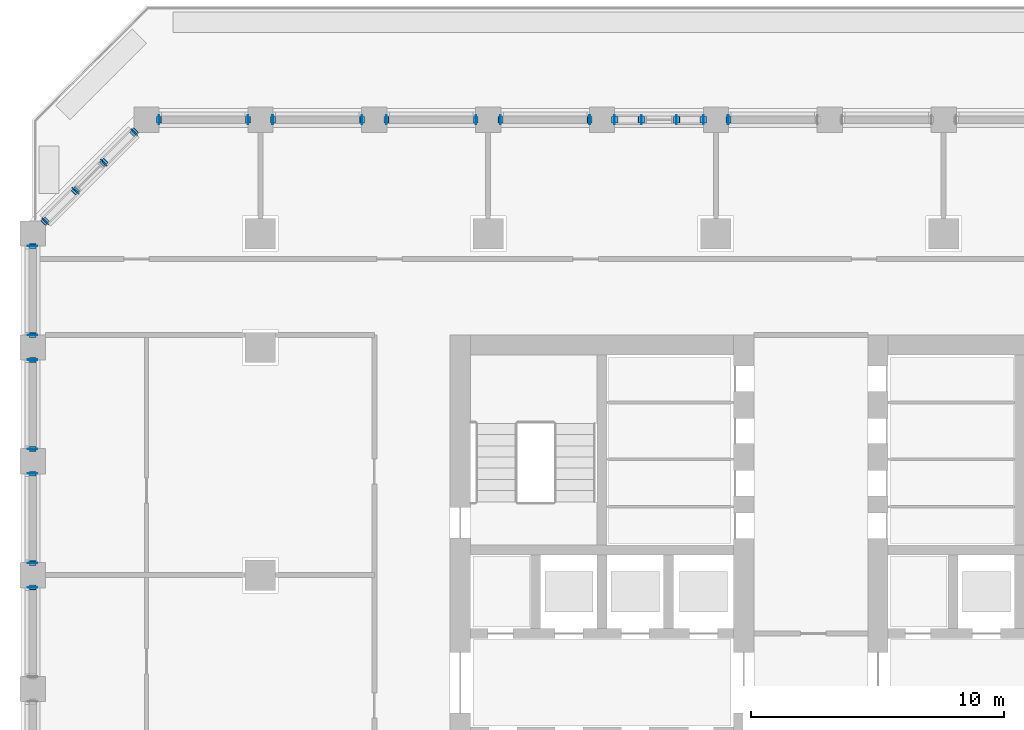
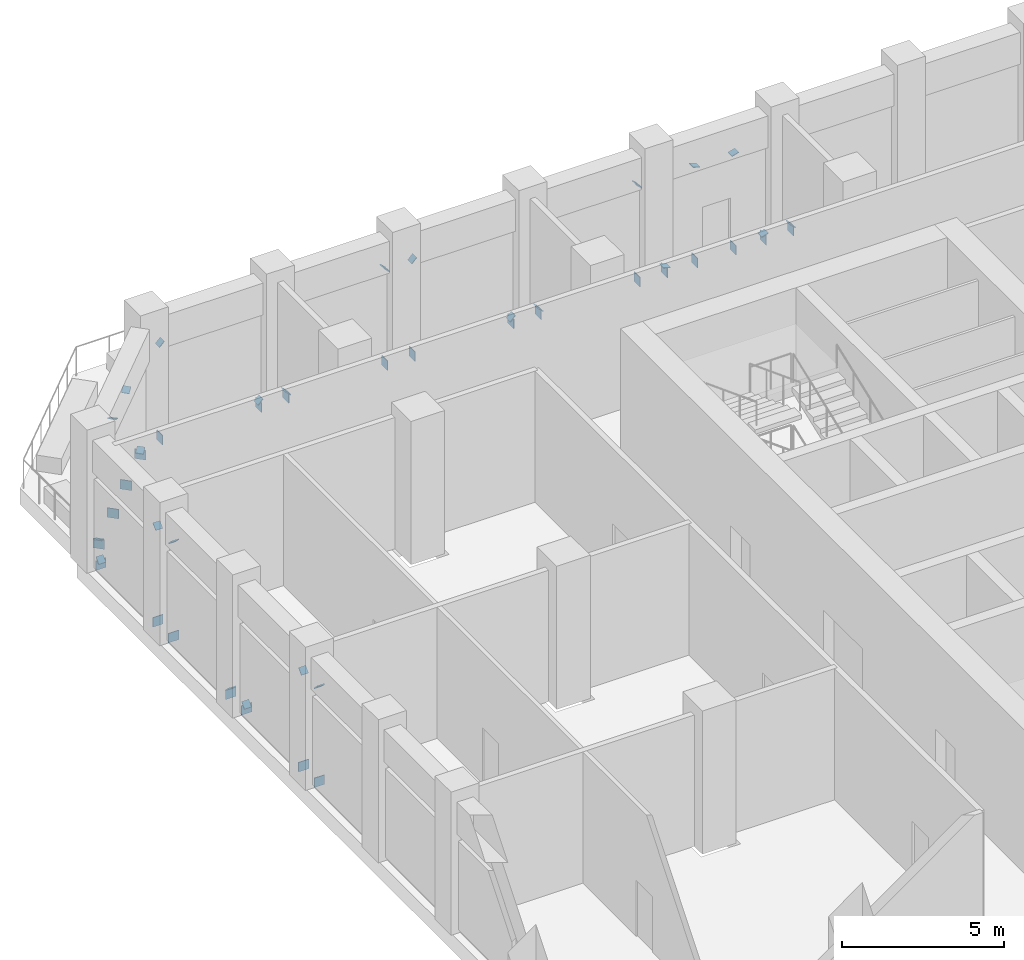
# One storey, part 11 of 20: 48 discrete accessories.
"""IFC4 building model written with IfcOpenShell, lengths in metres."""

from ifc_helpers import new_model, si_unit, direction, frame, origin, origin_2d, place, context, subcontext, project, spatial, rectangle, extrude, material, material_profile, profile_set, type_object, element, save


model = new_model("IFC4")

# Units and contexts
model_context = context("Model", 3, precision=1e-05, world=origin(), true_north=direction((0.0, 1.0)))
body_context = subcontext(model_context, "Body", "Model", "MODEL_VIEW")
ifc_project = project(units=[si_unit("LENGTHUNIT", "METRE"), si_unit("AREAUNIT", "SQUARE_METRE"), si_unit("VOLUMEUNIT", "CUBIC_METRE"), si_unit("PLANEANGLEUNIT", "RADIAN"), si_unit("MASSUNIT", "GRAM", prefix="KILO")], contexts=[model_context])

# Site, building, storey
site_placement = place(None, origin())
site = spatial("IfcSite", under=ifc_project, at=site_placement, CompositionType="ELEMENT")
building_placement = place(site_placement, origin())
building = spatial("IfcBuilding", under=site, at=building_placement, Name="Corbel Stack Research Tower", CompositionType="ELEMENT")
storey_placement = place(building_placement, frame((0.0, 0.0, 151.39990234375)))
storey = spatial("IfcBuildingStorey", under=building, at=storey_placement, Name="L34", CompositionType="ELEMENT", Elevation=151.39990234375)

# Discrete accessories
ifc_material_1 = material(Name="Steel S355", Category="steel")
ifc_material_profile_1 = material_profile(ifc_material_1, rectangle(XDim=0.25390625, YDim=0.25390625, at=origin_2d()), Name="End plate 254x254x25")
ifc_profile_set_1 = profile_set([ifc_material_profile_1], Name="Steel S355")
discrete_accessory_type_1 = type_object("IfcDiscreteAccessoryType", Name="End plate 254x254x25", PredefinedType="ANCHORPLATE", material=ifc_profile_set_1)
discrete_accessory_placement = place(storey_placement, frame((0.5, 27.0, 0.356201171875), z_axis=(-0.711966448453, 0.0, -0.702213483406), x_axis=(0.0, -1.0, 0.0)))
element("IfcDiscreteAccessory", 1, at=discrete_accessory_placement, inside=storey, type_object=discrete_accessory_type_1, Name="Belt truss end plate L34-26d1", PredefinedType="ANCHORPLATE", context=body_context, shape_type="SweptSolid", body=[
    extrude(rectangle(XDim=0.25390625, YDim=0.25390625, at=origin_2d()), origin(), (0.0, 0.0, 1.0), 0.025146484375),
])
for number, where, z_axis, x_axis, name in (
    (2, (-0.5, 27.0, 0.356201171875), (0.292714272094, 0.0, -0.956199955507), (0.0, 1.0, 0.0), "Belt truss end plate L34-27ad1"),
    (3, (-1.550048828125, 27.0, 3.75), (-0.292714272094, 0.0, 0.956199955507), (0.0, -1.0, 0.0), "Belt truss end plate L34-27ad2"),
    (4, (-4.0, 27.0, 0.356201171875), (-0.292714272094, 0.0, -0.956199955507), (0.0, -1.0, 0.0), "Belt truss end plate L34-27bd1"),
    (5, (-2.949951171875, 27.0, 3.75), (0.292714272094, 0.0, 0.956199955507), (0.0, 1.0, 0.0), "Belt truss end plate L34-27bd2"),
):
    element("IfcDiscreteAccessory", number, at=place(storey_placement, frame(where, z_axis=z_axis, x_axis=x_axis)), inside=storey, type_object=discrete_accessory_type_1, Name=name, PredefinedType="ANCHORPLATE", context=body_context, shape_type="SweptSolid", body=[
        extrude(rectangle(XDim=0.25390625, YDim=0.25390625, at=origin_2d()), origin(), (0.0, 0.0, 1.0), 0.02490234375),
    ])
for number, where, z_axis, x_axis, name in (
    (6, (-8.5, 27.0, 0.356201171875), (-0.711966448453, 0.0, -0.702213483406), (0.0, -1.0, 0.0), "Belt truss end plate L34-28d1"),
    (7, (-5.0, 27.0, 3.75), (0.711966448453, 0.0, 0.702213483406), (0.0, 1.0, 0.0), "Belt truss end plate L34-28d2"),
    (8, (-9.5, 27.0, 0.356201171875), (0.711966448453, 0.0, -0.702213483406), (0.0, 1.0, 0.0), "Belt truss end plate L34-29d1"),
    (9, (-13.0, 27.0, 3.75), (-0.711966448453, 0.0, 0.702213483406), (0.0, -1.0, 0.0), "Belt truss end plate L34-29d2"),
    (10, (-17.5, 27.0, 0.356201171875), (-0.711966448453, 0.0, -0.702213483406), (0.0, -1.0, 0.0), "Belt truss end plate L34-30d1"),
    (11, (-14.0, 27.0, 3.75), (0.711966448453, 0.0, 0.702213483406), (0.0, 1.0, 0.0), "Belt truss end plate L34-30d2"),
    (12, (-18.5, 27.0, 0.356201171875), (0.711966448453, 0.0, -0.702213483406), (0.0, 1.0, 0.0), "Belt truss end plate L34-31d1"),
    (13, (-22.0, 27.0, 3.75), (-0.711966448453, 0.0, 0.702213483406), (0.0, -1.0, 0.0), "Belt truss end plate L34-31d2"),
    (14, (-23.0, 26.5, 0.356201171875), (0.312109725856, 0.312109725856, -0.897315461837), (-0.707106781187, 0.707106781187, 0.0), "Belt truss end plate L34-32ad1"),
    (15, (-24.184326171875, 25.315673828125, 3.75), (-0.312109725856, -0.312109725856, 0.897315461837), (0.707106781187, -0.707106781187, 0.0), "Belt truss end plate L34-32ad2"),
    (16, (-26.5, 23.0, 0.356201171875), (-0.312109725856, -0.312109725856, -0.897315461837), (0.707106781187, -0.707106781187, 0.0), "Belt truss end plate L34-32bd1"),
    (17, (-25.315673828125, 24.184326171875, 3.75), (0.312109725856, 0.312109725856, 0.897315461837), (-0.707106781187, 0.707106781187, 0.0), "Belt truss end plate L34-32bd2"),
    (18, (-27.0, 22.0, 0.356201171875), (0.0, 0.711966448453, -0.702213483406), (-1.0, 0.0, 0.0), "Belt truss end plate L34-33d1"),
    (19, (-27.0, 18.5, 3.75), (0.0, -0.711966448453, 0.702213483406), (1.0, 0.0, 0.0), "Belt truss end plate L34-33d2"),
    (20, (-27.0, 14.0, 0.356201171875), (0.0, -0.711966448453, -0.702213483406), (1.0, 0.0, 0.0), "Belt truss end plate L34-34d1"),
    (21, (-27.0, 17.5, 3.75), (0.0, 0.711966448453, 0.702213483406), (-1.0, 0.0, 0.0), "Belt truss end plate L34-34d2"),
    (22, (-27.0, 13.0, 0.356201171875), (0.0, 0.711966448453, -0.702213483406), (-1.0, 0.0, 0.0), "Belt truss end plate L34-35d1"),
    (23, (-27.0, 9.5, 3.75), (0.0, -0.711966448453, 0.702213483406), (1.0, 0.0, 0.0), "Belt truss end plate L34-35d2"),
    (24, (-27.0, 8.5, 3.75), (0.0, 0.711966448453, 0.702213483406), (-1.0, 0.0, 0.0), "Belt truss end plate L34-36d2"),
):
    element("IfcDiscreteAccessory", number, at=place(storey_placement, frame(where, z_axis=z_axis, x_axis=x_axis)), inside=storey, type_object=discrete_accessory_type_1, Name=name, PredefinedType="ANCHORPLATE", context=body_context, shape_type="SweptSolid", body=[
        extrude(rectangle(XDim=0.25390625, YDim=0.25390625, at=origin_2d()), origin(), (0.0, 0.0, 1.0), 0.025146484375),
    ])
ifc_material_2 = material(Name="Steel S355", Category="steel")
ifc_material_profile_2 = material_profile(ifc_material_2, rectangle(XDim=0.368896484375, YDim=0.35595703125, at=origin_2d()), Name="End plate 369x356x25")
ifc_profile_set_2 = profile_set([ifc_material_profile_2], Name="Steel S355")
discrete_accessory_type_2 = type_object("IfcDiscreteAccessoryType", Name="End plate 369x356x25", PredefinedType="ANCHORPLATE", material=ifc_profile_set_2)
for number, where, z_axis, x_axis, name in (
    (25, (0.5, 27.0, 0.177978515625), (-1.0, 0.0, 0.0), (0.0, -1.0, 0.0), "Belt truss end plate L34-26c2"),
    (26, (-0.5, 27.0, 0.177978515625), (1.0, 0.0, 0.0), (0.0, 1.0, 0.0), "Belt truss end plate L34-27ac1"),
    (27, (-1.550048828125, 27.0, 0.177978515625), (-1.0, 0.0, 0.0), (0.0, -1.0, 0.0), "Belt truss end plate L34-27ac2"),
    (28, (-2.949951171875, 27.0, 0.177978515625), (1.0, 0.0, 0.0), (0.0, 1.0, 0.0), "Belt truss end plate L34-27bc1"),
    (29, (-4.0, 27.0, 0.177978515625), (-1.0, 0.0, 0.0), (0.0, -1.0, 0.0), "Belt truss end plate L34-27bc2"),
    (30, (-5.0, 27.0, 0.177978515625), (1.0, 0.0, 0.0), (0.0, 1.0, 0.0), "Belt truss end plate L34-28c1"),
    (31, (-8.5, 27.0, 0.177978515625), (-1.0, 0.0, 0.0), (0.0, -1.0, 0.0), "Belt truss end plate L34-28c2"),
    (32, (-9.5, 27.0, 0.177978515625), (1.0, 0.0, 0.0), (0.0, 1.0, 0.0), "Belt truss end plate L34-29c1"),
    (33, (-13.0, 27.0, 0.177978515625), (-1.0, 0.0, 0.0), (0.0, -1.0, 0.0), "Belt truss end plate L34-29c2"),
    (34, (-14.0, 27.0, 0.177978515625), (1.0, 0.0, 0.0), (0.0, 1.0, 0.0), "Belt truss end plate L34-30c1"),
    (35, (-17.5, 27.0, 0.177978515625), (-1.0, 0.0, 0.0), (0.0, -1.0, 0.0), "Belt truss end plate L34-30c2"),
    (36, (-18.5, 27.0, 0.177978515625), (1.0, 0.0, 0.0), (0.0, 1.0, 0.0), "Belt truss end plate L34-31c1"),
    (37, (-22.0, 27.0, 0.177978515625), (-1.0, 0.0, 0.0), (0.0, -1.0, 0.0), "Belt truss end plate L34-31c2"),
    (38, (-23.0, 26.5, 0.177978515625), (0.707106781187, 0.707106781187, 0.0), (-0.707106781187, 0.707106781187, 0.0), "Belt truss end plate L34-32ac1"),
    (39, (-24.184326171875, 25.315673828125, 0.177978515625), (-0.707106781187, -0.707106781187, 0.0), (0.707106781187, -0.707106781187, 0.0), "Belt truss end plate L34-32ac2"),
    (40, (-25.315673828125, 24.184326171875, 0.177978515625), (0.707106781187, 0.707106781187, 0.0), (-0.707106781187, 0.707106781187, 0.0), "Belt truss end plate L34-32bc1"),
    (41, (-26.5, 23.0, 0.177978515625), (-0.707106781187, -0.707106781187, 0.0), (0.707106781187, -0.707106781187, 0.0), "Belt truss end plate L34-32bc2"),
    (42, (-27.0, 22.0, 0.177978515625), (0.0, 1.0, 0.0), (-1.0, 0.0, 0.0), "Belt truss end plate L34-33c1"),
    (43, (-27.0, 18.5, 0.177978515625), (0.0, -1.0, 0.0), (1.0, 0.0, 0.0), "Belt truss end plate L34-33c2"),
    (44, (-27.0, 17.5, 0.177978515625), (0.0, 1.0, 0.0), (-1.0, 0.0, 0.0), "Belt truss end plate L34-34c1"),
    (45, (-27.0, 14.0, 0.177978515625), (0.0, -1.0, 0.0), (1.0, 0.0, 0.0), "Belt truss end plate L34-34c2"),
    (46, (-27.0, 13.0, 0.177978515625), (0.0, 1.0, 0.0), (-1.0, 0.0, 0.0), "Belt truss end plate L34-35c1"),
    (47, (-27.0, 9.5, 0.177978515625), (0.0, -1.0, 0.0), (1.0, 0.0, 0.0), "Belt truss end plate L34-35c2"),
    (48, (-27.0, 8.5, 0.177978515625), (0.0, 1.0, 0.0), (-1.0, 0.0, 0.0), "Belt truss end plate L34-36c1"),
):
    element("IfcDiscreteAccessory", number, at=place(storey_placement, frame(where, z_axis=z_axis, x_axis=x_axis)), inside=storey, type_object=discrete_accessory_type_2, Name=name, PredefinedType="ANCHORPLATE", context=body_context, shape_type="SweptSolid", body=[
        extrude(rectangle(XDim=0.368896484375, YDim=0.35595703125, at=origin_2d()), origin(), (0.0, 0.0, 1.0), 0.02490234375),
    ])

save(model, "model.ifc")
